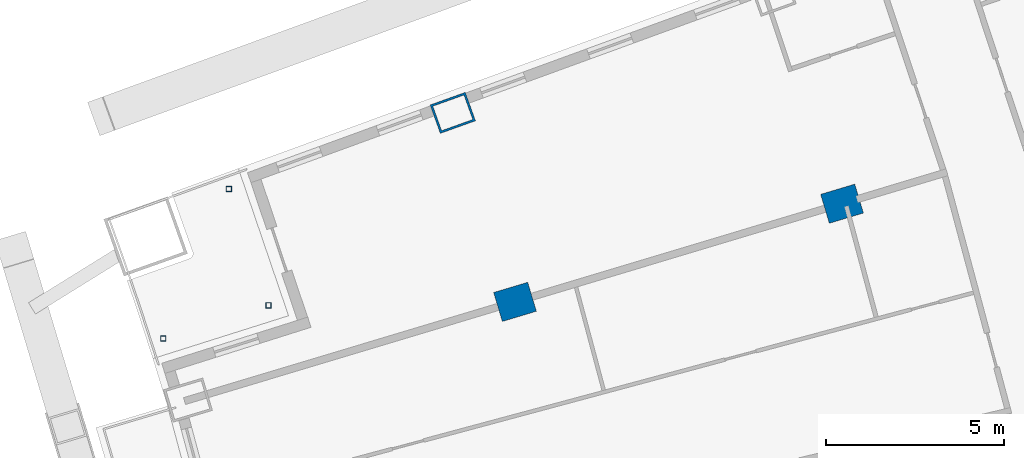
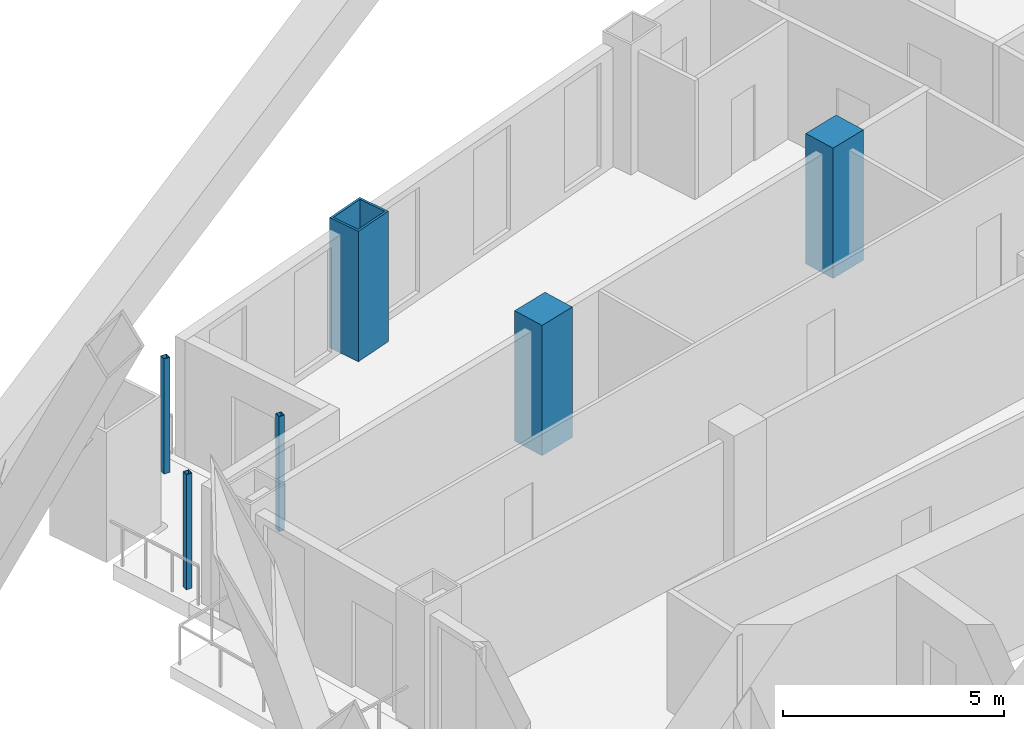
# One storey, part 6 of 24: 6 columns.
"""IFC4 building model written with IfcOpenShell, lengths in metres."""

from ifc_helpers import new_model, si_unit, direction, frame, origin, origin_2d, place, context, subcontext, project, spatial, rectangle, hollow_rectangle, extrude, material, material_profile, profile_set, type_object, element, save


model = new_model("IFC4")

# Units and contexts
model_context = context("Model", 3, precision=1e-05, world=origin(), true_north=direction((0.0, 1.0)))
body_context = subcontext(model_context, "Body", "Model", "MODEL_VIEW")
ifc_project = project(units=[si_unit("LENGTHUNIT", "METRE"), si_unit("AREAUNIT", "SQUARE_METRE"), si_unit("VOLUMEUNIT", "CUBIC_METRE"), si_unit("PLANEANGLEUNIT", "RADIAN"), si_unit("MASSUNIT", "GRAM", prefix="KILO")], contexts=[model_context])

# Site, building, storey
site_placement = place(None, origin())
site = spatial("IfcSite", under=ifc_project, at=site_placement, CompositionType="ELEMENT")
building_placement = place(site_placement, origin())
building = spatial("IfcBuilding", under=site, at=building_placement, Name="Alderwake Tower", CompositionType="ELEMENT")
storey_placement = place(building_placement, frame((0.0, 0.0, 104.0)))
storey = spatial("IfcBuildingStorey", under=building, at=storey_placement, Name="L25", CompositionType="ELEMENT", Elevation=104.0)

# Columns
ifc_material_1 = material(Name="Steel ASTM A572 Grade 50 concrete filled C70/85", Category="concrete")
ifc_material_profile_1 = material_profile(ifc_material_1, hollow_rectangle(XDim=0.85009765625, YDim=1.050048828125, WallThickness=0.06005859375, at=origin_2d()), Name="BOX 1050X850X60")
ifc_profile_set_1 = profile_set([ifc_material_profile_1], Name="Steel ASTM A572 Grade 50 concrete filled C70/85")
column_type_1 = type_object("IfcColumnType", Name="End column Z2", PredefinedType="COLUMN", material=ifc_profile_set_1)
column_placement = place(storey_placement, frame((19.965576171875, 96.8515625, 0.0), z_axis=(0.0, 0.0, 1.0), x_axis=(-0.337584879279, 0.9412950915, 0.0)))
element("IfcColumn", 1, at=column_placement, inside=storey, type_object=column_type_1, Name="Column R13-C1", PredefinedType="COLUMN", context=body_context, shape_type="SweptSolid", body=[
    extrude(hollow_rectangle(XDim=0.85009765625, YDim=1.050048828125, WallThickness=0.06005859375, at=origin_2d()), origin(), (0.0, 0.0, 1.0), 3.60009765625),
])
ifc_material_2 = material(Name="Concrete C70/85", Category="concrete")
ifc_material_profile_2 = material_profile(ifc_material_2, rectangle(XDim=0.85009765625, YDim=1.0, at=origin_2d()), Name="RC 1000X850")
ifc_profile_set_2 = profile_set([ifc_material_profile_2], Name="Concrete C70/85")
column_type_2 = type_object("IfcColumnType", Name="Interior column Z2", PredefinedType="COLUMN", material=ifc_profile_set_2)
for number, where, z_axis, x_axis, name in (
    (2, (21.714599609375, 91.53759765625, 0.0), (0.0, 0.0, 1.0), (-0.287549418125, 0.957765802342, 0.0), "Column R12-C1"),
    (3, (30.9091796875, 94.298095703125, 0.0), (0.0, 0.0, 1.0), (-0.287549418125, 0.957765802342, 0.0), "Column R12-C2"),
):
    element("IfcColumn", number, at=place(storey_placement, frame(where, z_axis=z_axis, x_axis=x_axis)), inside=storey, type_object=column_type_2, Name=name, PredefinedType="COLUMN", context=body_context, shape_type="SweptSolid", body=[
        extrude(rectangle(XDim=0.85009765625, YDim=1.0, at=origin_2d()), origin(), (0.0, 0.0, 1.0), 3.60009765625),
    ])
ifc_material_3 = material(Name="Steel ASTM A500 Grade C", Category="steel")
ifc_material_profile_3 = material_profile(ifc_material_3, hollow_rectangle(XDim=0.15234375, YDim=0.15234375, WallThickness=0.0087890625, at=origin_2d()), Name="HSS6X6X3/8")
ifc_profile_set_3 = profile_set([ifc_material_profile_3], Name="Steel ASTM A500 Grade C")
column_type_3 = type_object("IfcColumnType", Name="Light post HSS6X6X3/8", PredefinedType="COLUMN", material=ifc_profile_set_3)
for number, where, z_axis, x_axis, name in (
    (4, (11.82568359375, 90.507080078125, 0.0), (0.0, 0.0, 1.0), (1.0, 0.0, 0.0), "Terrace post RN1"),
    (5, (13.66796875, 94.71240234375, 0.0), (0.0, 0.0, 1.0), (1.0, 0.0, 0.0), "Terrace post RN2"),
    (6, (14.781494140625, 91.441650390625, 0.0), (0.0, 0.0, 1.0), (1.0, 0.0, 0.0), "Terrace post RN3"),
):
    element("IfcColumn", number, at=place(storey_placement, frame(where, z_axis=z_axis, x_axis=x_axis)), inside=storey, type_object=column_type_3, Name=name, PredefinedType="COLUMN", context=body_context, shape_type="SweptSolid", body=[
        extrude(hollow_rectangle(XDim=0.15234375, YDim=0.15234375, WallThickness=0.0087890625, at=origin_2d()), origin(), (0.0, 0.0, 1.0), 3.179931640625),
    ])

save(model, "model.ifc")
